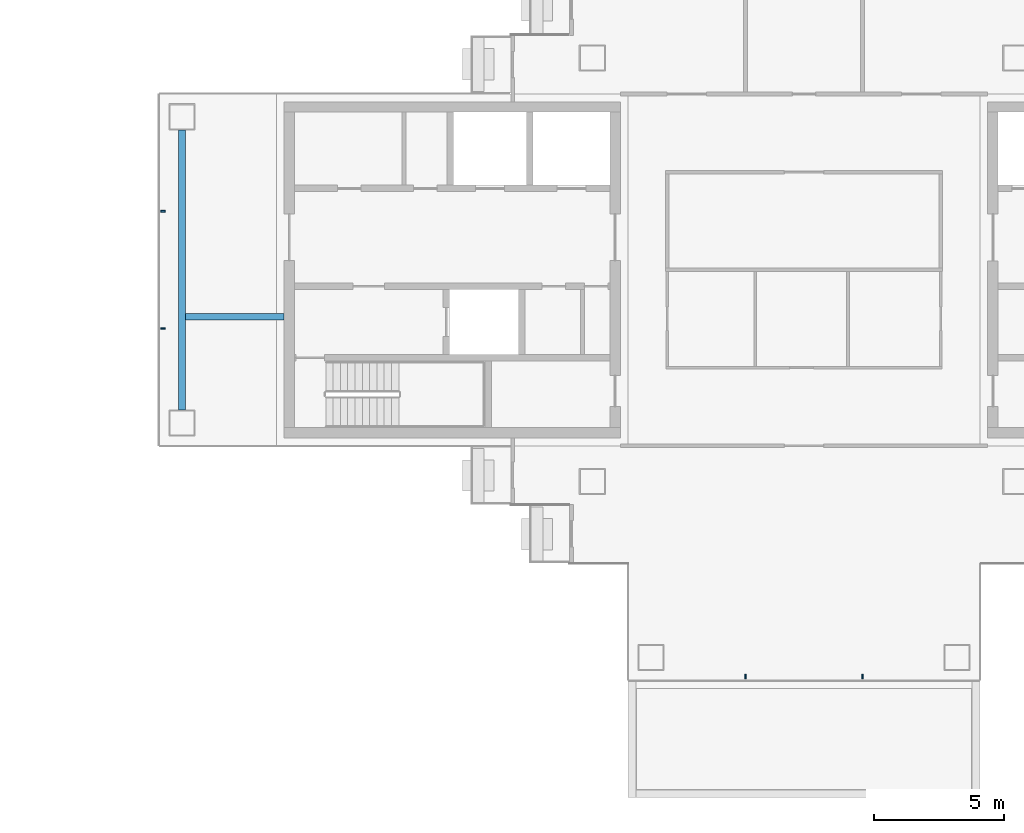
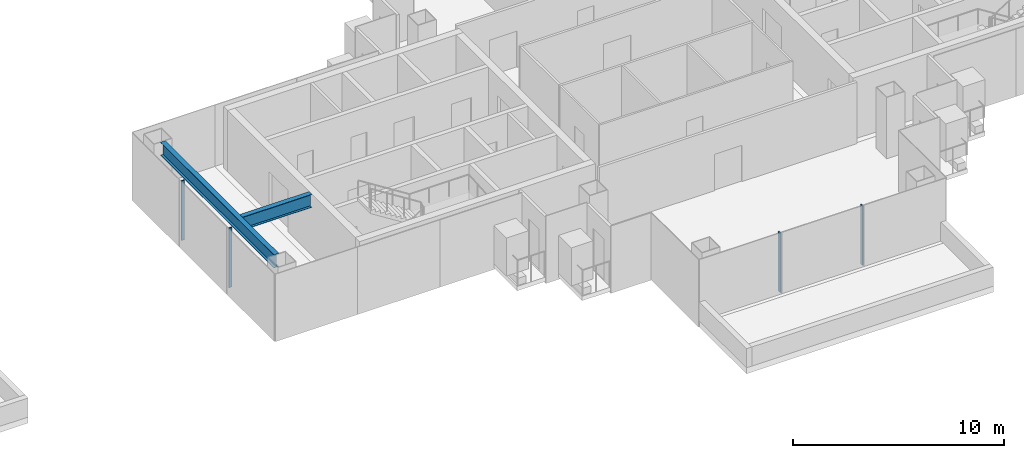
# One storey, part 5 of 16: 4 members, 2 beams, 2 elements without a shape of their own.
"""IFC4 building model written with IfcOpenShell, lengths in metres."""

from ifc_helpers import new_model, si_unit, direction, frame, origin, origin_2d, place, context, subcontext, project, spatial, rectangle, i_section, extrude, material, layer, layer_set, material_profile, profile_set, type_object, element, aggregate, save


model = new_model("IFC4")

# Units and contexts
model_context = context("Model", 3, precision=1e-05, world=origin(), true_north=direction((0.0, 1.0)))
body_context = subcontext(model_context, "Body", "Model", "MODEL_VIEW")
ifc_project = project(units=[si_unit("LENGTHUNIT", "METRE"), si_unit("AREAUNIT", "SQUARE_METRE"), si_unit("VOLUMEUNIT", "CUBIC_METRE"), si_unit("PLANEANGLEUNIT", "RADIAN"), si_unit("MASSUNIT", "GRAM", prefix="KILO")], contexts=[model_context])

# Site, building, storey
site_placement = place(None, origin())
site = spatial("IfcSite", under=ifc_project, at=site_placement, CompositionType="ELEMENT")
building_placement = place(site_placement, origin())
building = spatial("IfcBuilding", under=site, at=building_placement, Name="Shamsa Quay Exchange Towers", CompositionType="ELEMENT")
storey_placement = place(building_placement, frame((0.0, 0.0, 182.699951171875)))
storey = spatial("IfcBuildingStorey", under=building, at=storey_placement, Name="L43", CompositionType="ELEMENT", Elevation=182.699951171875)

# Curtain wall, members
ifc_material_1 = material(Name="Aluminium EN AW-6063 T6, black anodised", Category="aluminium")
ifc_layer = layer(ifc_material_1, 0.280029296875)
ifc_layer_set = layer_set([ifc_layer], Name="CW-1 UNITISED VISION GLASS")
curtain_wall_type = type_object("IfcCurtainWallType", Name="CW-1 UNITISED VISION GLASS", PredefinedType="NOTDEFINED", material=ifc_layer_set)
curtain_wall_1_placement = place(storey_placement, origin())
curtain_wall_1 = element("IfcCurtainWall", 1, at=curtain_wall_1_placement, inside=storey, type_object=curtain_wall_type, Name="CW1 T2-END-V+ L43", PredefinedType="NOTDEFINED")
ifc_material_profile_1 = material_profile(ifc_material_1, rectangle(XDim=0.179931640625, YDim=0.06005859375, at=origin_2d()), Name="MU60x180")
ifc_profile_set_1 = profile_set([ifc_material_profile_1], Name="Aluminium EN AW-6063 T6, black anodised")
member_type = type_object("IfcMemberType", Name="CW1 MULLION 60x180", PredefinedType="MULLION", material=ifc_profile_set_1)
member_1_placement = place(storey_placement, frame((9.14990234375, 2.25, 0.0)))
member_1 = element("IfcMember", 2, at=member_1_placement, type_object=member_type, Name="CW1 mullion", PredefinedType="MULLION", context=body_context, shape_type="SweptSolid", body=[
    extrude(rectangle(XDim=0.179931640625, YDim=0.06005859375, at=origin_2d()), origin(), (0.0, 0.0, 1.0), 3.449951171875),
])
member_2_placement = place(storey_placement, frame((9.14990234375, -2.25, 0.0)))
member_2 = element("IfcMember", 3, at=member_2_placement, type_object=member_type, Name="CW1 mullion", PredefinedType="MULLION", context=body_context, shape_type="SweptSolid", body=[
    extrude(rectangle(XDim=0.179931640625, YDim=0.06005859375, at=origin_2d()), origin(), (0.0, 0.0, 1.0), 3.449951171875),
])
aggregate(curtain_wall_1, [member_1, member_2])

curtain_wall_2_placement = place(storey_placement, origin())
curtain_wall_2 = element("IfcCurtainWall", 4, at=curtain_wall_2_placement, inside=storey, type_object=curtain_wall_type, Name="CW1 T2-END-U- L43", PredefinedType="NOTDEFINED")
member_3_placement = place(storey_placement, frame((31.5, -15.60009765625, 0.0), z_axis=(0.0, 0.0, 1.0), x_axis=(0.0, 1.0, 0.0)))
member_3 = element("IfcMember", 5, at=member_3_placement, type_object=member_type, Name="CW1 mullion", PredefinedType="MULLION", context=body_context, shape_type="SweptSolid", body=[
    extrude(rectangle(XDim=0.179931640625, YDim=0.06005859375, at=origin_2d()), origin(), (0.0, 0.0, 1.0), 3.449951171875),
])
member_4_placement = place(storey_placement, frame((36.0, -15.60009765625, 0.0), z_axis=(0.0, 0.0, 1.0), x_axis=(0.0, 1.0, 0.0)))
member_4 = element("IfcMember", 6, at=member_4_placement, type_object=member_type, Name="CW1 mullion", PredefinedType="MULLION", context=body_context, shape_type="SweptSolid", body=[
    extrude(rectangle(XDim=0.179931640625, YDim=0.06005859375, at=origin_2d()), origin(), (0.0, 0.0, 1.0), 3.449951171875),
])
aggregate(curtain_wall_2, [member_3, member_4])

# Beams
ifc_material_2 = material(Name="Steel S355", Category="steel")
ifc_material_profile_2 = material_profile(ifc_material_2, i_section(OverallWidth=0.26611328125, OverallDepth=0.7578125, WebThickness=0.013916015625, FlangeThickness=0.019287109375, at=origin_2d()), Name="W30x108")
ifc_profile_set_2 = profile_set([ifc_material_profile_2], Name="Steel S355")
beam_type = type_object("IfcBeamType", Name="End-zone beam W30x108", PredefinedType="BEAM", material=ifc_profile_set_2)
beam_1_placement = place(storey_placement, frame((9.875, -5.375, 3.171142578125), z_axis=(0.0, 1.0, 0.0), x_axis=(-1.0, 0.0, 0.0)))
element("IfcBeam", 7, at=beam_1_placement, inside=storey, type_object=beam_type, Name="End beam T2 V+ end zone L43", PredefinedType="BEAM", context=body_context, shape_type="SweptSolid", body=[
    extrude(i_section(OverallWidth=0.26611328125, OverallDepth=0.7578125, WebThickness=0.013916015625, FlangeThickness=0.019287109375, at=origin_2d()), origin(), (0.0, 0.0, 1.0), 10.75),
])
beam_2_placement = place(storey_placement, frame((13.800048828125, -1.800048828125, 3.171142578125), z_axis=(-1.0, 0.0, 0.0), x_axis=(0.0, -1.0, 0.0)))
element("IfcBeam", 8, at=beam_2_placement, inside=storey, type_object=beam_type, Name="Spine beam T2 V+ end zone L43", PredefinedType="BEAM", context=body_context, shape_type="SweptSolid", body=[
    extrude(i_section(OverallWidth=0.26611328125, OverallDepth=0.7578125, WebThickness=0.013916015625, FlangeThickness=0.019287109375, at=origin_2d()), origin(), (0.0, 0.0, 1.0), 3.7919921875),
])

save(model, "model.ifc")
